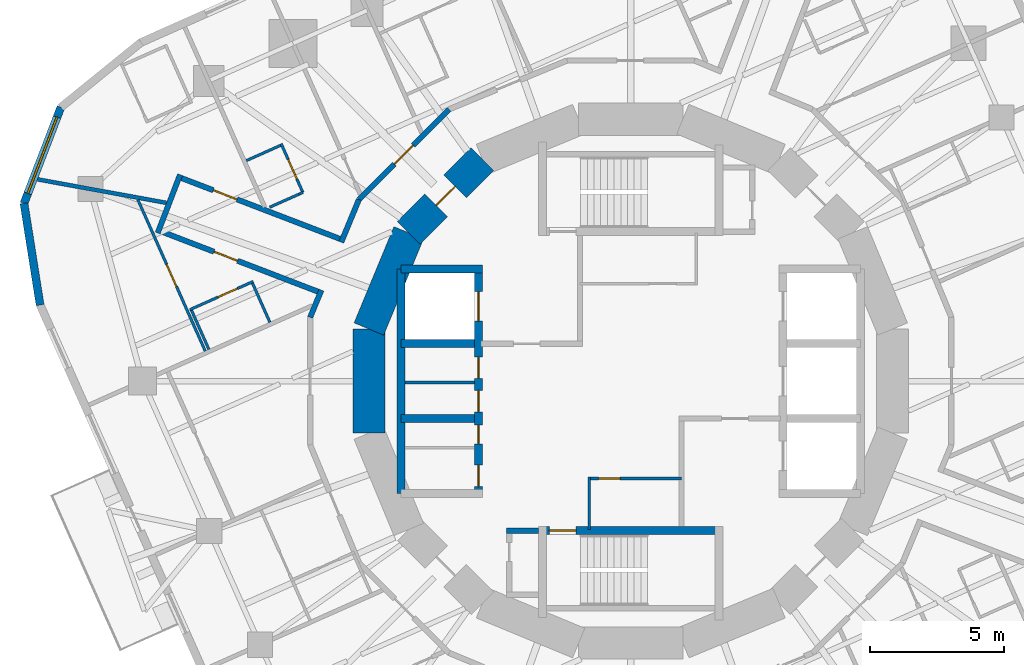
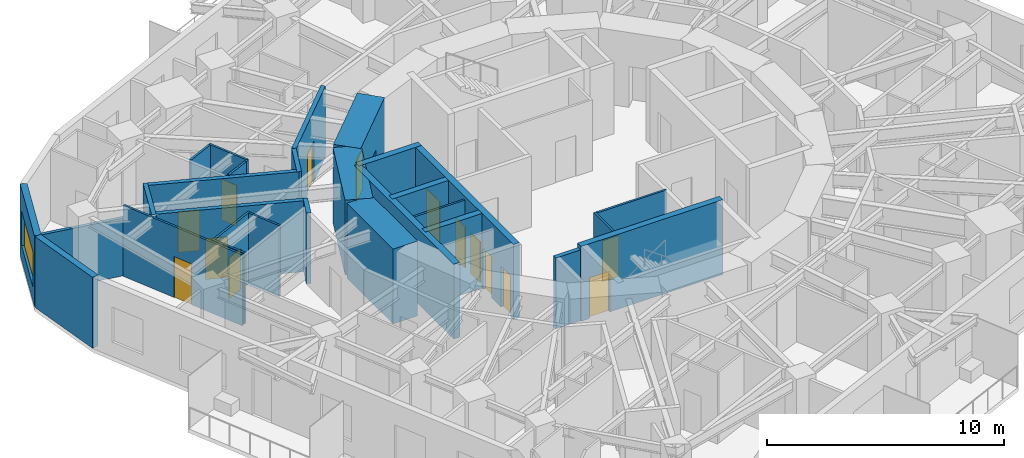
# One storey, part 6 of 12: 30 walls, 14 doors, 1 window, 15 openings.
"""IFC4 building model written with IfcOpenShell, lengths in metres."""

from ifc_helpers import new_model, si_unit, direction, frame, frame_2d, origin, place, context, subcontext, project, spatial, rectangle, extrude, material, layer, layer_set, type_object, element, fill, save


model = new_model("IFC4")

# Units and contexts
model_context = context("Model", 3, precision=1e-05, world=origin(), true_north=direction((0.0, 1.0)))
body_context = subcontext(model_context, "Body", "Model", "MODEL_VIEW")
ifc_project = project(units=[si_unit("LENGTHUNIT", "METRE"), si_unit("AREAUNIT", "SQUARE_METRE"), si_unit("VOLUMEUNIT", "CUBIC_METRE"), si_unit("PLANEANGLEUNIT", "RADIAN"), si_unit("MASSUNIT", "GRAM", prefix="KILO")], contexts=[model_context])

# Site, building, storey
site_placement = place(None, origin())
site = spatial("IfcSite", under=ifc_project, at=site_placement, CompositionType="ELEMENT")
building_placement = place(site_placement, origin())
building = spatial("IfcBuilding", under=site, at=building_placement, Name="Nakasero Lantern House", CompositionType="ELEMENT")
storey_placement = place(building_placement, frame((0.0, 0.0, 209.39990234375)))
storey = spatial("IfcBuildingStorey", under=building, at=storey_placement, Name="L51", CompositionType="ELEMENT", Elevation=209.39990234375)

# Wall, openings, doors
ifc_material_1 = material(Name="Concrete C50/60", Category="concrete")
ifc_layer_1 = layer(ifc_material_1, 0.300048828125)
ifc_layer_set_1 = layer_set([ifc_layer_1], Name="Core inner wall 300")
wall_type_1 = type_object("IfcWallType", Name="Core inner wall 300", PredefinedType="SHEAR", material=ifc_layer_set_1)
wall_1_placement = place(storey_placement, frame((-5.699951171875, -4.199951171875, 0.0), z_axis=(0.0, 0.0, 1.0), x_axis=(0.0, 1.0, 0.0)))
wall_1 = element("IfcWall", 1, at=wall_1_placement, inside=storey, type_object=wall_type_1, Name="Core inner wall L51 LW", PredefinedType="SHEAR", context=body_context, shape_type="SweptSolid", body=[
    extrude(rectangle(XDim=8.39990234375, YDim=0.300048828125, at=frame_2d((4.199951171875, 0.0))), origin(), (0.0, 0.0, 1.0), 3.85009765625),
])
opening_1_placement = place(wall_1_placement, frame((0.25, 0.0, 0.0)))
opening_1 = element("IfcOpeningElement", 2, at=opening_1_placement, cuts=wall_1, Name="Opening D19", PredefinedType="OPENING", context=body_context, shape_type="SweptSolid", body=[
    extrude(rectangle(XDim=0.800048828125, YDim=2.10009765625, at=frame_2d((0.39990234375, 1.050048828125))), frame((0.0, 0.169921875, 0.0), z_axis=(0.0, -1.0, 0.0), x_axis=(1.0, 0.0, 0.0)), (0.0, 0.0, 1.0), 0.340087890625),
])
opening_2_placement = place(wall_1_placement, frame((1.85009765625, 0.0, 0.0)))
opening_2 = element("IfcOpeningElement", 3, at=opening_2_placement, cuts=wall_1, Name="Opening D20", PredefinedType="OPENING", context=body_context, shape_type="SweptSolid", body=[
    extrude(rectangle(XDim=0.699951171875, YDim=2.10009765625, at=frame_2d((0.35009765625, 1.050048828125))), frame((0.0, 0.169921875, 0.0), z_axis=(0.0, -1.0, 0.0), x_axis=(1.0, 0.0, 0.0)), (0.0, 0.0, 1.0), 0.340087890625),
])
opening_3_placement = place(wall_1_placement, frame((3.050048828125, 0.0, 0.0)))
opening_3 = element("IfcOpeningElement", 4, at=opening_3_placement, cuts=wall_1, Name="Opening D15", PredefinedType="OPENING", context=body_context, shape_type="SweptSolid", body=[
    extrude(rectangle(XDim=0.800048828125, YDim=2.10009765625, at=frame_2d((0.39990234375, 1.050048828125))), frame((0.0, 0.169921875, 0.0), z_axis=(0.0, -1.0, 0.0), x_axis=(1.0, 0.0, 0.0)), (0.0, 0.0, 1.0), 0.340087890625),
])
opening_4_placement = place(wall_1_placement, frame((4.300048828125, 0.0, 0.0)))
opening_4 = element("IfcOpeningElement", 5, at=opening_4_placement, cuts=wall_1, Name="Opening D15", PredefinedType="OPENING", context=body_context, shape_type="SweptSolid", body=[
    extrude(rectangle(XDim=0.800048828125, YDim=2.10009765625, at=frame_2d((0.39990234375, 1.050048828125))), frame((0.0, 0.169921875, 0.0), z_axis=(0.0, -1.0, 0.0), x_axis=(1.0, 0.0, 0.0)), (0.0, 0.0, 1.0), 0.340087890625),
])
opening_5_placement = place(wall_1_placement, frame((6.449951171875, 0.0, 0.0)))
opening_5 = element("IfcOpeningElement", 6, at=opening_5_placement, cuts=wall_1, Name="Opening LD", PredefinedType="OPENING", context=body_context, shape_type="SweptSolid", body=[
    extrude(rectangle(XDim=1.10009765625, YDim=2.10009765625, at=frame_2d((0.550048828125, 1.050048828125))), frame((0.0, 0.169921875, 0.0), z_axis=(0.0, -1.0, 0.0), x_axis=(1.0, 0.0, 0.0)), (0.0, 0.0, 1.0), 0.340087890625),
])
ifc_material_2 = material(Name="Timber C24", Category="wood")
door_type_1 = type_object("IfcDoorType", Name="Cleaner's store door FD30S 700", OperationType="SINGLE_SWING_LEFT", PredefinedType="DOOR", material=ifc_material_2)
door_1_placement = place(opening_2_placement, origin())
door_1 = element("IfcDoor", 7, at=door_1_placement, inside=storey, type_object=door_type_1, Name="Door L51 D-SH-LW1b", OperationType="SINGLE_SWING_LEFT", OverallHeight=2.10009765625, OverallWidth=0.699951171875, PredefinedType="DOOR", context=body_context, shape_type="SweptSolid", body=[
    extrude(rectangle(XDim=0.699951171875, YDim=2.10009765625, at=frame_2d((0.35009765625, 1.050048828125))), frame((0.0, 0.02490234375, 0.0), z_axis=(0.0, -1.0, 0.0), x_axis=(1.0, 0.0, 0.0)), (0.0, 0.0, 1.0), 0.050048828125),
])
fill(opening_2, door_1)
ifc_material_3 = material(Name="Timber C24", Category="wood")
door_type_2 = type_object("IfcDoorType", Name="Cleaner's store door FD30S 800", OperationType="SINGLE_SWING_LEFT", PredefinedType="DOOR", material=ifc_material_3)
door_2_placement = place(opening_3_placement, origin())
door_2 = element("IfcDoor", 8, at=door_2_placement, inside=storey, type_object=door_type_2, Name="Door L51 D-SH-LW2a", OperationType="SINGLE_SWING_LEFT", OverallHeight=2.10009765625, OverallWidth=0.800048828125, PredefinedType="DOOR", context=body_context, shape_type="SweptSolid", body=[
    extrude(rectangle(XDim=0.800048828125, YDim=2.10009765625, at=frame_2d((0.39990234375, 1.050048828125))), frame((0.0, 0.02490234375, 0.0), z_axis=(0.0, -1.0, 0.0), x_axis=(1.0, 0.0, 0.0)), (0.0, 0.0, 1.0), 0.050048828125),
])
fill(opening_3, door_2)
door_3_placement = place(opening_4_placement, origin())
door_3 = element("IfcDoor", 9, at=door_3_placement, inside=storey, type_object=door_type_2, Name="Door L51 D-SH-LW2b", OperationType="SINGLE_SWING_RIGHT", OverallHeight=2.10009765625, OverallWidth=0.800048828125, PredefinedType="DOOR", context=body_context, shape_type="SweptSolid", body=[
    extrude(rectangle(XDim=0.800048828125, YDim=2.10009765625, at=frame_2d((0.39990234375, 1.050048828125))), frame((0.0, 0.02490234375, 0.0), z_axis=(0.0, -1.0, 0.0), x_axis=(1.0, 0.0, 0.0)), (0.0, 0.0, 1.0), 0.050048828125),
])
fill(opening_4, door_3)
ifc_material_4 = material(Name="Steel S355", Category="steel")
door_type_3 = type_object("IfcDoorType", Name="Lift landing door E120 1100", OperationType="SLIDING_TO_LEFT", PredefinedType="DOOR", material=ifc_material_4)
door_4_placement = place(opening_5_placement, origin())
door_4 = element("IfcDoor", 10, at=door_4_placement, inside=storey, type_object=door_type_3, Name="Lift landing door LW3", OperationType="SLIDING_TO_LEFT", OverallHeight=2.10009765625, OverallWidth=1.10009765625, PredefinedType="DOOR", context=body_context, shape_type="SweptSolid", body=[
    extrude(rectangle(XDim=1.10009765625, YDim=2.10009765625, at=frame_2d((0.550048828125, 1.050048828125))), frame((0.0, 0.02490234375, 0.0), z_axis=(0.0, -1.0, 0.0), x_axis=(1.0, 0.0, 0.0)), (0.0, 0.0, 1.0), 0.050048828125),
])
fill(opening_5, door_4)
ifc_material_5 = material(Name="Steel S355", Category="steel")
door_type_4 = type_object("IfcDoorType", Name="Plant room door FD60 800", OperationType="SINGLE_SWING_LEFT", PredefinedType="DOOR", material=ifc_material_5)
door_5_placement = place(opening_1_placement, origin())
door_5 = element("IfcDoor", 11, at=door_5_placement, inside=storey, type_object=door_type_4, Name="Door L51 D-SH-LW1a", OperationType="SINGLE_SWING_LEFT", OverallHeight=2.10009765625, OverallWidth=0.800048828125, PredefinedType="DOOR", context=body_context, shape_type="SweptSolid", body=[
    extrude(rectangle(XDim=0.800048828125, YDim=2.10009765625, at=frame_2d((0.39990234375, 1.050048828125))), frame((0.0, 0.02490234375, 0.0), z_axis=(0.0, -1.0, 0.0), x_axis=(1.0, 0.0, 0.0)), (0.0, 0.0, 1.0), 0.050048828125),
])
fill(opening_1, door_5)

# Walls
wall_2_placement = place(storey_placement, frame((-8.60009765625, 4.199951171875, 0.0), z_axis=(0.0, 0.0, 1.0), x_axis=(1.0, 0.0, 0.0)))
element("IfcWall", 12, at=wall_2_placement, inside=storey, type_object=wall_type_1, Name="Core inner wall L51 LWN", PredefinedType="SHEAR", context=body_context, shape_type="SweptSolid", body=[
    extrude(rectangle(XDim=3.050048828125, YDim=0.300048828125, at=frame_2d((1.52490234375, 0.0))), origin(), (0.0, 0.0, 1.0), 3.85009765625),
])
wall_3_placement = place(storey_placement, frame((-8.60009765625, -4.199951171875, 0.0), z_axis=(0.0, 0.0, 1.0), x_axis=(0.0, 1.0, 0.0)))
element("IfcWall", 13, at=wall_3_placement, inside=storey, type_object=wall_type_1, Name="Core inner wall L51 LWB", PredefinedType="SHEAR", context=body_context, shape_type="SweptSolid", body=[
    extrude(rectangle(XDim=8.39990234375, YDim=0.300048828125, at=frame_2d((4.199951171875, 0.0))), origin(), (0.0, 0.0, 1.0), 3.85009765625),
])
for number, where, z_axis, x_axis, name in (
    (14, (-8.60009765625, -1.39990234375, 0.0), (0.0, 0.0, 1.0), (1.0, 0.0, 0.0), "Core inner wall L51 LW1"),
    (15, (-8.60009765625, 1.39990234375, 0.0), (0.0, 0.0, 1.0), (1.0, 0.0, 0.0), "Core inner wall L51 LW2"),
):
    element("IfcWall", number, at=place(storey_placement, frame(where, z_axis=z_axis, x_axis=x_axis)), inside=storey, type_object=wall_type_1, Name=name, PredefinedType="SHEAR", context=body_context, shape_type="SweptSolid", body=[
        extrude(rectangle(XDim=2.75, YDim=0.300048828125, at=frame_2d((1.375, 0.0))), origin(), (0.0, 0.0, 1.0), 3.85009765625),
    ])

# Wall, opening, door
wall_4_placement = place(storey_placement, frame((-3.449951171875, -5.60009765625, 0.0), z_axis=(0.0, 0.0, 1.0), x_axis=(1.0, 0.0, 0.0)))
wall_4 = element("IfcWall", 16, at=wall_4_placement, inside=storey, type_object=wall_type_1, Name="Core inner wall L51 SS", PredefinedType="SHEAR", context=body_context, shape_type="SweptSolid", body=[
    extrude(rectangle(XDim=6.89990234375, YDim=0.300048828125, at=frame_2d((3.449951171875, 0.0))), origin(), (0.0, 0.0, 1.0), 3.85009765625),
])
opening_6_placement = place(wall_4_placement, frame((0.39990234375, 0.0, 0.0)))
opening_6 = element("IfcOpeningElement", 17, at=opening_6_placement, cuts=wall_4, Name="Opening D05", PredefinedType="OPENING", context=body_context, shape_type="SweptSolid", body=[
    extrude(rectangle(XDim=1.0, YDim=2.10009765625, at=frame_2d((0.5, 1.050048828125))), frame((0.0, 0.169921875, 0.0), z_axis=(0.0, -1.0, 0.0), x_axis=(1.0, 0.0, 0.0)), (0.0, 0.0, 1.0), 0.340087890625),
])
ifc_material_6 = material(Name="Timber C24", Category="wood")
door_type_5 = type_object("IfcDoorType", Name="Core door FD60S 1000", OperationType="SINGLE_SWING_LEFT", PredefinedType="DOOR", material=ifc_material_6)
door_6_placement = place(opening_6_placement, origin())
door_6 = element("IfcDoor", 18, at=door_6_placement, inside=storey, type_object=door_type_5, Name="Door L51 D-ST2", OperationType="SINGLE_SWING_LEFT", OverallHeight=2.10009765625, OverallWidth=1.0, PredefinedType="DOOR", context=body_context, shape_type="SweptSolid", body=[
    extrude(rectangle(XDim=1.0, YDim=2.10009765625, at=frame_2d((0.5, 1.050048828125))), frame((0.0, 0.02490234375, 0.0), z_axis=(0.0, -1.0, 0.0), x_axis=(1.0, 0.0, 0.0)), (0.0, 0.0, 1.0), 0.050048828125),
])
fill(opening_6, door_6)

ifc_material_7 = material(Name="Blockwork", Category="masonry")
ifc_layer_2 = layer(ifc_material_7, 0.10009765625)
ifc_layer_set_2 = layer_set([ifc_layer_2], Name="Core room wall 100")
wall_type_2 = type_object("IfcWallType", Name="Core room wall 100", PredefinedType="PARTITIONING", material=ifc_layer_set_2)
wall_5_placement = place(storey_placement, frame((-1.60009765625, -3.64990234375, 0.0), z_axis=(0.0, 0.0, 1.0), x_axis=(1.0, 0.0, 0.0)))
wall_5 = element("IfcWall", 19, at=wall_5_placement, inside=storey, type_object=wall_type_2, Name="Core room wall L51 CR-SWN", PredefinedType="PARTITIONING", context=body_context, shape_type="SweptSolid", body=[
    extrude(rectangle(XDim=3.5, YDim=0.10009765625, at=frame_2d((1.75, 0.0))), origin(), (0.0, 0.0, 1.0), 3.650146484375),
])
opening_7_placement = place(wall_5_placement, frame((0.39990234375, 0.0, 0.0)))
opening_7 = element("IfcOpeningElement", 20, at=opening_7_placement, cuts=wall_5, Name="Opening D15", PredefinedType="OPENING", context=body_context, shape_type="SweptSolid", body=[
    extrude(rectangle(XDim=0.800048828125, YDim=2.10009765625, at=frame_2d((0.39990234375, 1.050048828125))), frame((0.0, 0.070068359375, 0.0), z_axis=(0.0, -1.0, 0.0), x_axis=(1.0, 0.0, 0.0)), (0.0, 0.0, 1.0), 0.14013671875),
])
door_7_placement = place(opening_7_placement, origin())
door_7 = element("IfcDoor", 21, at=door_7_placement, inside=storey, type_object=door_type_2, Name="Door L51 D-CR-SW", OperationType="SINGLE_SWING_LEFT", OverallHeight=2.10009765625, OverallWidth=0.800048828125, PredefinedType="DOOR", context=body_context, shape_type="SweptSolid", body=[
    extrude(rectangle(XDim=0.800048828125, YDim=2.10009765625, at=frame_2d((0.39990234375, 1.050048828125))), frame((0.0, 0.02490234375, 0.0), z_axis=(0.0, -1.0, 0.0), x_axis=(1.0, 0.0, 0.0)), (0.0, 0.0, 1.0), 0.050048828125),
])
fill(opening_7, door_7)

# Walls
wall_6_placement = place(storey_placement, frame((-1.550048828125, -5.550048828125, 0.0), z_axis=(0.0, 0.0, 1.0), x_axis=(0.0, 1.0, 0.0)))
element("IfcWall", 22, at=wall_6_placement, inside=storey, type_object=wall_type_2, Name="Core room wall L51 CR-SWW", PredefinedType="PARTITIONING", context=body_context, shape_type="SweptSolid", body=[
    extrude(rectangle(XDim=1.949951171875, YDim=0.10009765625, at=frame_2d((0.97509765625, 0.0))), origin(), (0.0, 0.0, 1.0), 3.650146484375),
])
wall_7_placement = place(storey_placement, frame((-8.449951171875, -0.050048828125, 0.0), z_axis=(0.0, 0.0, 1.0), x_axis=(1.0, 0.0, 0.0)))
element("IfcWall", 23, at=wall_7_placement, inside=storey, type_object=wall_type_2, Name="Core room wall L51 CR-SH-LW2b", PredefinedType="PARTITIONING", context=body_context, shape_type="SweptSolid", body=[
    extrude(rectangle(XDim=2.599853515625, YDim=0.10009765625, at=frame_2d((1.2998046875, 0.0))), origin(), (0.0, 0.0, 1.0), 3.650146484375),
])

# Wall, opening, door
ifc_material_8 = material(Name="Concrete C50/60", Category="concrete")
ifc_layer_3 = layer(ifc_material_8, 1.199951171875)
ifc_layer_set_3 = layer_set([ifc_layer_3], Name="Core wall 1200")
wall_type_3 = type_object("IfcWallType", Name="Core wall 1200", PredefinedType="SHEAR", material=ifc_layer_set_3)
wall_8_placement = place(storey_placement, frame((-5.5556640625, 8.314697265625, 0.0), z_axis=(0.0, 0.0, 1.0), x_axis=(-0.707106781187, -0.707106781187, 0.0)))
wall_8 = element("IfcWall", 24, at=wall_8_placement, inside=storey, type_object=wall_type_3, Name="Core wall L51 facet 6", PredefinedType="SHEAR", context=body_context, shape_type="SweptSolid", body=[
    extrude(rectangle(XDim=3.90185546875, YDim=1.199951171875, at=frame_2d((1.950927734375, 0.0))), origin(), (0.0, 0.0, 1.0), 3.85009765625),
])
opening_8_placement = place(wall_8_placement, frame((1.450927734375, 0.0, 0.0)))
opening_8 = element("IfcOpeningElement", 25, at=opening_8_placement, cuts=wall_8, Name="Opening D05", PredefinedType="OPENING", context=body_context, shape_type="SweptSolid", body=[
    extrude(rectangle(XDim=1.0, YDim=2.10009765625, at=frame_2d((0.5, 1.050048828125))), frame((0.0, 0.619873046875, 0.0), z_axis=(0.0, -1.0, 0.0), x_axis=(1.0, 0.0, 0.0)), (0.0, 0.0, 1.0), 1.239990234375),
])
door_8_placement = place(opening_8_placement, origin())
door_8 = element("IfcDoor", 26, at=door_8_placement, inside=storey, type_object=door_type_5, Name="Door L51 D-CORE06", OperationType="SINGLE_SWING_LEFT", OverallHeight=2.10009765625, OverallWidth=1.0, PredefinedType="DOOR", context=body_context, shape_type="SweptSolid", body=[
    extrude(rectangle(XDim=1.0, YDim=2.10009765625, at=frame_2d((0.5, 1.050048828125))), frame((0.0, 0.02490234375, 0.0), z_axis=(0.0, -1.0, 0.0), x_axis=(1.0, 0.0, 0.0)), (0.0, 0.0, 1.0), 0.050048828125),
])
fill(opening_8, door_8)

# Walls
for number, where, z_axis, x_axis, name in (
    (27, (-8.314697265625, 5.5556640625, 0.0), (0.0, 0.0, 1.0), (-0.382690736062, -0.923876507187, 0.0), "Core wall L51 facet 7"),
    (28, (-9.807861328125, 1.950927734375, 0.0), (0.0, 0.0, 1.0), (0.0, -1.0, 0.0), "Core wall L51 facet 8"),
):
    element("IfcWall", number, at=place(storey_placement, frame(where, z_axis=z_axis, x_axis=x_axis)), inside=storey, type_object=wall_type_3, Name=name, PredefinedType="SHEAR", context=body_context, shape_type="SweptSolid", body=[
        extrude(rectangle(XDim=3.90185546875, YDim=1.199951171875, at=frame_2d((1.950927734375, 0.0))), origin(), (0.0, 0.0, 1.0), 3.85009765625),
    ])
ifc_material_9 = material(Name="Blockwork", Category="masonry")
ifc_layer_4 = layer(ifc_material_9, 0.199951171875)
ifc_layer_set_4 = layer_set([ifc_layer_4], Name="Corridor wall 200")
wall_type_4 = type_object("IfcWallType", Name="Corridor wall 200", PredefinedType="PARTITIONING", material=ifc_layer_set_4)
wall_9_placement = place(storey_placement, frame((-12.0078125, 2.388427734375, 0.0), z_axis=(0.0, 0.0, 1.0), x_axis=(0.382651327736, 0.923892830031, 0.0)))
element("IfcWall", 29, at=wall_9_placement, inside=storey, type_object=wall_type_4, Name="Corridor wall L51 RC09a", PredefinedType="PARTITIONING", context=body_context, shape_type="SweptSolid", body=[
    extrude(rectangle(XDim=1.103759765625, YDim=0.199951171875, at=frame_2d((0.5517578125, 0.0))), origin(), (0.0, 0.0, 1.0), 3.650146484375),
])
wall_10_placement = place(storey_placement, frame((-10.8427734375, 5.201171875, 0.0), z_axis=(0.0, 0.0, 1.0), x_axis=(0.382683633391, 0.923879449244, 0.0)))
element("IfcWall", 30, at=wall_10_placement, inside=storey, type_object=wall_type_4, Name="Corridor wall L51 RC09b", PredefinedType="PARTITIONING", context=body_context, shape_type="SweptSolid", body=[
    extrude(rectangle(XDim=1.732666015625, YDim=0.199951171875, at=frame_2d((0.8662109375, 0.0))), origin(), (0.0, 0.0, 1.0), 3.650146484375),
])

# Wall, opening, door
wall_11_placement = place(storey_placement, frame((-10.1796875, 6.802001953125, 0.0), z_axis=(0.0, 0.0, 1.0), x_axis=(0.707106781187, 0.707106781187, 0.0)))
wall_11 = element("IfcWall", 31, at=wall_11_placement, inside=storey, type_object=wall_type_4, Name="Corridor wall L51 RC10a", PredefinedType="PARTITIONING", context=body_context, shape_type="SweptSolid", body=[
    extrude(rectangle(XDim=4.77685546875, YDim=0.199951171875, at=frame_2d((2.388427734375, 0.0))), origin(), (0.0, 0.0, 1.0), 3.650146484375),
])
opening_9_placement = place(wall_11_placement, frame((1.8701171875, 0.0, 0.0)))
opening_9 = element("IfcOpeningElement", 32, at=opening_9_placement, cuts=wall_11, Name="Opening D14", PredefinedType="OPENING", context=body_context, shape_type="SweptSolid", body=[
    extrude(rectangle(XDim=1.0, YDim=2.10009765625, at=frame_2d((0.5, 1.050048828125))), frame((0.0, 0.119873046875, 0.0), z_axis=(0.0, -1.0, 0.0), x_axis=(1.0, 0.0, 0.0)), (0.0, 0.0, 1.0), 0.239990234375),
])
ifc_material_10 = material(Name="Timber C24", Category="wood")
door_type_6 = type_object("IfcDoorType", Name="Cluster entrance door FD30S 1000", OperationType="SINGLE_SWING_LEFT", PredefinedType="DOOR", material=ifc_material_10)
door_9_placement = place(opening_9_placement, origin())
door_9 = element("IfcDoor", 33, at=door_9_placement, inside=storey, type_object=door_type_6, Name="Door L51 D1-04", OperationType="SINGLE_SWING_LEFT", OverallHeight=2.10009765625, OverallWidth=1.0, PredefinedType="DOOR", context=body_context, shape_type="SweptSolid", body=[
    extrude(rectangle(XDim=1.0, YDim=2.10009765625, at=frame_2d((0.5, 1.050048828125))), frame((0.0, 0.02490234375, 0.0), z_axis=(0.0, -1.0, 0.0), x_axis=(1.0, 0.0, 0.0)), (0.0, 0.0, 1.0), 0.050048828125),
])
fill(opening_9, door_9)

wall_12_placement = place(storey_placement, frame((-10.804443359375, 5.293701171875, 0.0), z_axis=(0.0, 0.0, 1.0), x_axis=(-0.933585954752, 0.358353547616, 0.0)))
wall_12 = element("IfcWall", 34, at=wall_12_placement, inside=storey, type_object=wall_type_4, Name="Corridor wall L51 SP1a", PredefinedType="PARTITIONING", context=body_context, shape_type="SweptSolid", body=[
    extrude(rectangle(XDim=6.643798828125, YDim=0.199951171875, at=frame_2d((3.32177734375, 0.0))), origin(), (0.0, 0.0, 1.0), 3.650146484375),
])
opening_10_placement = place(wall_12_placement, frame((4.219970703125, 0.0, 0.0)))
opening_10 = element("IfcOpeningElement", 35, at=opening_10_placement, cuts=wall_12, Name="Opening D01", PredefinedType="OPENING", context=body_context, shape_type="SweptSolid", body=[
    extrude(rectangle(XDim=0.949951171875, YDim=2.10009765625, at=frame_2d((0.47509765625, 1.050048828125))), frame((0.0, 0.119873046875, 0.0), z_axis=(0.0, -1.0, 0.0), x_axis=(1.0, 0.0, 0.0)), (0.0, 0.0, 1.0), 0.239990234375),
])
ifc_material_11 = material(Name="Timber C24", Category="wood")
door_type_7 = type_object("IfcDoorType", Name="Bedroom door FD30S 950", OperationType="SINGLE_SWING_LEFT", PredefinedType="DOOR", material=ifc_material_11)
door_10_placement = place(opening_10_placement, origin())
door_10 = element("IfcDoor", 36, at=door_10_placement, inside=storey, type_object=door_type_7, Name="Door L51 D1-06", OperationType="SINGLE_SWING_RIGHT", OverallHeight=2.10009765625, OverallWidth=0.949951171875, PredefinedType="DOOR", context=body_context, shape_type="SweptSolid", body=[
    extrude(rectangle(XDim=0.949951171875, YDim=2.10009765625, at=frame_2d((0.47509765625, 1.050048828125))), frame((0.0, 0.02490234375, 0.0), z_axis=(0.0, -1.0, 0.0), x_axis=(1.0, 0.0, 0.0)), (0.0, 0.0, 1.0), 0.050048828125),
])
fill(opening_10, door_10)

wall_13_placement = place(storey_placement, frame((-11.623779296875, 3.31591796875, 0.0), z_axis=(0.0, 0.0, 1.0), x_axis=(-0.933579421016, 0.358370568903, 0.0)))
wall_13 = element("IfcWall", 37, at=wall_13_placement, inside=storey, type_object=wall_type_4, Name="Corridor wall L51 SP1b", PredefinedType="PARTITIONING", context=body_context, shape_type="SweptSolid", body=[
    extrude(rectangle(XDim=6.587646484375, YDim=0.199951171875, at=frame_2d((3.2939453125, 0.0))), origin(), (0.0, 0.0, 1.0), 3.650146484375),
])
opening_11_placement = place(wall_13_placement, frame((3.320068359375, 0.0, 0.0)))
opening_11 = element("IfcOpeningElement", 38, at=opening_11_placement, cuts=wall_13, Name="Opening D01", PredefinedType="OPENING", context=body_context, shape_type="SweptSolid", body=[
    extrude(rectangle(XDim=0.949951171875, YDim=2.10009765625, at=frame_2d((0.47509765625, 1.050048828125))), frame((0.0, 0.119873046875, 0.0), z_axis=(0.0, -1.0, 0.0), x_axis=(1.0, 0.0, 0.0)), (0.0, 0.0, 1.0), 0.239990234375),
])
door_11_placement = place(opening_11_placement, origin())
door_11 = element("IfcDoor", 39, at=door_11_placement, inside=storey, type_object=door_type_7, Name="Door L51 D2-00", OperationType="SINGLE_SWING_RIGHT", OverallHeight=2.10009765625, OverallWidth=0.949951171875, PredefinedType="DOOR", context=body_context, shape_type="SweptSolid", body=[
    extrude(rectangle(XDim=0.949951171875, YDim=2.10009765625, at=frame_2d((0.47509765625, 1.050048828125))), frame((0.0, 0.02490234375, 0.0), z_axis=(0.0, -1.0, 0.0), x_axis=(1.0, 0.0, 0.0)), (0.0, 0.0, 1.0), 0.050048828125),
])
fill(opening_11, door_11)

# Wall
wall_14_placement = place(storey_placement, frame((-16.8779296875, 7.73193359375, 0.0), z_axis=(0.0, 0.0, 1.0), x_axis=(-0.35838473722, -0.933573982139, 0.0)))
element("IfcWall", 40, at=wall_14_placement, inside=storey, type_object=wall_type_4, Name="Corridor wall L51 SP1e", PredefinedType="PARTITIONING", context=body_context, shape_type="SweptSolid", body=[
    extrude(rectangle(XDim=2.340087890625, YDim=0.199951171875, at=frame_2d((1.169921875, 0.0))), origin(), (0.0, 0.0, 1.0), 3.650146484375),
])

# Wall, opening, door
ifc_material_12 = material(Name="Blockwork", Category="masonry")
ifc_layer_5 = layer(ifc_material_12, 0.10009765625)
ifc_layer_set_5 = layer_set([ifc_layer_5], Name="En-suite wall 100")
wall_type_5 = type_object("IfcWallType", Name="En-suite wall 100", PredefinedType="PARTITIONING", material=ifc_layer_set_5)
wall_15_placement = place(storey_placement, frame((-12.280029296875, 7.0654296875, 0.0), z_axis=(0.0, 0.0, 1.0), x_axis=(-0.406772684097, 0.913529410294, 0.0)))
wall_15 = element("IfcWall", 41, at=wall_15_placement, inside=storey, type_object=wall_type_5, Name="En-suite wall L51 ES1-05", PredefinedType="PARTITIONING", context=body_context, shape_type="SweptSolid", body=[
    extrude(rectangle(XDim=1.999755859375, YDim=0.10009765625, at=frame_2d((1.0, 0.0))), origin(), (0.0, 0.0, 1.0), 3.650146484375),
])
opening_12_placement = place(wall_15_placement, frame((0.550048828125, 0.0, 0.0)))
opening_12 = element("IfcOpeningElement", 42, at=opening_12_placement, cuts=wall_15, Name="Opening D02", PredefinedType="OPENING", context=body_context, shape_type="SweptSolid", body=[
    extrude(rectangle(XDim=0.800048828125, YDim=2.10009765625, at=frame_2d((0.39990234375, 1.050048828125))), frame((0.0, 0.070068359375, 0.0), z_axis=(0.0, -1.0, 0.0), x_axis=(1.0, 0.0, 0.0)), (0.0, 0.0, 1.0), 0.14013671875),
])
ifc_material_13 = material(Name="Timber C24", Category="wood")
door_type_8 = type_object("IfcDoorType", Name="En-suite door 800", OperationType="SINGLE_SWING_RIGHT", PredefinedType="DOOR", material=ifc_material_13)
door_12_placement = place(opening_12_placement, origin())
door_12 = element("IfcDoor", 43, at=door_12_placement, inside=storey, type_object=door_type_8, Name="Door L51 DE1-05", OperationType="SINGLE_SWING_LEFT", OverallHeight=2.10009765625, OverallWidth=0.800048828125, PredefinedType="DOOR", context=body_context, shape_type="SweptSolid", body=[
    extrude(rectangle(XDim=0.800048828125, YDim=2.10009765625, at=frame_2d((0.39990234375, 1.050048828125))), frame((0.0, 0.02490234375, 0.0), z_axis=(0.0, -1.0, 0.0), x_axis=(1.0, 0.0, 0.0)), (0.0, 0.0, 1.0), 0.050048828125),
])
fill(opening_12, door_12)

# Wall
wall_16_placement = place(storey_placement, frame((-13.118896484375, 8.826416015625, 0.0), z_axis=(0.0, 0.0, 1.0), x_axis=(-0.91358129113, -0.406656150203, 0.0)))
element("IfcWall", 44, at=wall_16_placement, inside=storey, type_object=wall_type_5, Name="En-suite wall L51 EE1-05", PredefinedType="PARTITIONING", context=body_context, shape_type="SweptSolid", body=[
    extrude(rectangle(XDim=1.400146484375, YDim=0.10009765625, at=frame_2d((0.7001953125, 0.0))), origin(), (0.0, 0.0, 1.0), 3.650146484375),
])

# Wall, opening, door
wall_17_placement = place(storey_placement, frame((-14.14013671875, 3.731689453125, 0.0), z_axis=(0.0, 0.0, 1.0), x_axis=(-0.913532543723, -0.406765646974, 0.0)))
wall_17 = element("IfcWall", 45, at=wall_17_placement, inside=storey, type_object=wall_type_5, Name="En-suite wall L51 ES2-00", PredefinedType="PARTITIONING", context=body_context, shape_type="SweptSolid", body=[
    extrude(rectangle(XDim=2.60009765625, YDim=0.10009765625, at=frame_2d((1.300048828125, 0.0))), origin(), (0.0, 0.0, 1.0), 3.650146484375),
])
opening_13_placement = place(wall_17_placement, frame((0.64990234375, 0.0, 0.0)))
opening_13 = element("IfcOpeningElement", 46, at=opening_13_placement, cuts=wall_17, Name="Opening D02", PredefinedType="OPENING", context=body_context, shape_type="SweptSolid", body=[
    extrude(rectangle(XDim=0.800048828125, YDim=2.10009765625, at=frame_2d((0.39990234375, 1.050048828125))), frame((0.0, 0.070068359375, 0.0), z_axis=(0.0, -1.0, 0.0), x_axis=(1.0, 0.0, 0.0)), (0.0, 0.0, 1.0), 0.14013671875),
])
door_13_placement = place(opening_13_placement, origin())
door_13 = element("IfcDoor", 47, at=door_13_placement, inside=storey, type_object=door_type_8, Name="Door L51 DE2-00", OperationType="SINGLE_SWING_LEFT", OverallHeight=2.10009765625, OverallWidth=0.800048828125, PredefinedType="DOOR", context=body_context, shape_type="SweptSolid", body=[
    extrude(rectangle(XDim=0.800048828125, YDim=2.10009765625, at=frame_2d((0.39990234375, 1.050048828125))), frame((0.0, 0.02490234375, 0.0), z_axis=(0.0, -1.0, 0.0), x_axis=(1.0, 0.0, 0.0)), (0.0, 0.0, 1.0), 0.050048828125),
])
fill(opening_13, door_13)

# Walls
wall_18_placement = place(storey_placement, frame((-16.449462890625, 2.648681640625, 0.0), z_axis=(0.0, 0.0, 1.0), x_axis=(0.40678959877, -0.913521878409, 0.0)))
element("IfcWall", 48, at=wall_18_placement, inside=storey, type_object=wall_type_5, Name="En-suite wall L51 EE2-00", PredefinedType="PARTITIONING", context=body_context, shape_type="SweptSolid", body=[
    extrude(rectangle(XDim=1.60009765625, YDim=0.10009765625, at=frame_2d((0.800048828125, 0.0))), origin(), (0.0, 0.0, 1.0), 3.650146484375),
])
wall_19_placement = place(storey_placement, frame((-14.16552734375, 3.66552734375, 0.0), z_axis=(0.0, 0.0, 1.0), x_axis=(0.406662251972, -0.913578575067, 0.0)))
element("IfcWall", 49, at=wall_19_placement, inside=storey, type_object=wall_type_5, Name="En-suite wall L51 EI2-00", PredefinedType="PARTITIONING", context=body_context, shape_type="SweptSolid", body=[
    extrude(rectangle(XDim=1.599853515625, YDim=0.10009765625, at=frame_2d((0.7998046875, 0.0))), origin(), (0.0, 0.0, 1.0), 3.650146484375),
])

# Wall, opening, door
wall_20_placement = place(storey_placement, frame((-18.45947265625, 6.79443359375, 0.0), z_axis=(0.0, 0.0, 1.0), x_axis=(0.406726147728, -0.9135501304, 0.0)))
wall_20 = element("IfcWall", 50, at=wall_20_placement, inside=storey, type_object=wall_type_5, Name="En-suite wall L51 EL2-00", PredefinedType="PARTITIONING", context=body_context, shape_type="SweptSolid", body=[
    extrude(rectangle(XDim=6.204833984375, YDim=0.10009765625, at=frame_2d((3.1025390625, 0.0))), origin(), (0.0, 0.0, 1.0), 3.650146484375),
])
opening_14_placement = place(wall_20_placement, frame((2.65234375, 0.0, 0.0)))
opening_14 = element("IfcOpeningElement", 51, at=opening_14_placement, cuts=wall_20, Name="Opening D17", PredefinedType="OPENING", context=body_context, shape_type="SweptSolid", body=[
    extrude(rectangle(XDim=0.89990234375, YDim=2.10009765625, at=frame_2d((0.449951171875, 1.050048828125))), frame((0.0, 0.070068359375, 0.0), z_axis=(0.0, -1.0, 0.0), x_axis=(1.0, 0.0, 0.0)), (0.0, 0.0, 1.0), 0.14013671875),
])
ifc_material_14 = material(Name="Timber C24", Category="wood")
door_type_9 = type_object("IfcDoorType", Name="Bedroom door FD30S 900", OperationType="SINGLE_SWING_LEFT", PredefinedType="DOOR", material=ifc_material_14)
door_14_placement = place(opening_14_placement, origin())
door_14 = element("IfcDoor", 52, at=door_14_placement, inside=storey, type_object=door_type_9, Name="Door L51 DL2-00", OperationType="SINGLE_SWING_LEFT", OverallHeight=2.10009765625, OverallWidth=0.89990234375, PredefinedType="DOOR", context=body_context, shape_type="SweptSolid", body=[
    extrude(rectangle(XDim=0.89990234375, YDim=2.10009765625, at=frame_2d((0.449951171875, 1.050048828125))), frame((0.0, 0.02490234375, 0.0), z_axis=(0.0, -1.0, 0.0), x_axis=(1.0, 0.0, 0.0)), (0.0, 0.0, 1.0), 0.050048828125),
])
fill(opening_14, door_14)

# Walls
wall_21_placement = place(storey_placement, frame((-13.527099609375, 6.510009765625, 0.0), z_axis=(0.0, 0.0, 1.0), x_axis=(0.913510535277, 0.406815070933, 0.0)))
element("IfcWall", 53, at=wall_21_placement, inside=storey, type_object=wall_type_5, Name="En-suite wall L51 EX001", PredefinedType="PARTITIONING", context=body_context, shape_type="SweptSolid", body=[
    extrude(rectangle(XDim=1.205078125, YDim=0.10009765625, at=frame_2d((0.6025390625, 0.0))), origin(), (0.0, 0.0, 1.0), 3.650146484375),
])
wall_22_placement = place(storey_placement, frame((-12.280029296875, 7.0654296875, 0.0), z_axis=(0.0, 0.0, 1.0), x_axis=(-0.913370855971, -0.407128578538, 0.0)))
element("IfcWall", 54, at=wall_22_placement, inside=storey, type_object=wall_type_5, Name="En-suite wall L51 ES1-05R0", PredefinedType="PARTITIONING", context=body_context, shape_type="SweptSolid", body=[
    extrude(rectangle(XDim=0.16015625, YDim=0.10009765625, at=frame_2d((0.080078125, 0.0))), origin(), (0.0, 0.0, 1.0), 3.650146484375),
])

# Wall, opening, window
ifc_material_15 = material(Name="Aluminium rainscreen on blockwork", Category="masonry")
ifc_layer_6 = layer(ifc_material_15, 0.300048828125)
ifc_layer_set_6 = layer_set([ifc_layer_6], Name="Facade wall 300")
wall_type_6 = type_object("IfcWallType", Name="Facade wall 300", PredefinedType="SOLIDWALL", material=ifc_layer_set_6)
wall_23_placement = place(storey_placement, frame((-21.342529296875, 10.258056640625, 0.0), z_axis=(0.0, 0.0, 1.0), x_axis=(-0.358321438858, -0.933598278948, 0.0)))
wall_23 = element("IfcWall", 55, at=wall_23_placement, inside=storey, type_object=wall_type_6, Name="Facade wall L51 FW1C2", PredefinedType="SOLIDWALL", context=body_context, shape_type="SweptSolid", body=[
    extrude(rectangle(XDim=3.8564453125, YDim=0.300048828125, at=frame_2d((1.92822265625, 0.0))), origin(), (0.0, 0.0, 1.0), 3.650146484375),
])
opening_15_placement = place(wall_23_placement, frame((0.39990234375, 0.0, 0.75)))
opening_15 = element("IfcOpeningElement", 56, at=opening_15_placement, cuts=wall_23, Name="Opening W230", PredefinedType="OPENING", context=body_context, shape_type="SweptSolid", body=[
    extrude(rectangle(XDim=3.055908203125, YDim=1.800048828125, at=frame_2d((1.52783203125, 0.89990234375))), frame((0.0, 0.169921875, 0.0), z_axis=(0.0, -1.0, 0.0), x_axis=(1.0, 0.0, 0.0)), (0.0, 0.0, 1.0), 0.340087890625),
])
ifc_material_16 = material(Name="Aluminium 6063-T6 and glass", Category="aluminium")
window_type = type_object("IfcWindowType", Name="Corner window 3056x1800", PartitioningType="SINGLE_PANEL", PredefinedType="WINDOW", material=ifc_material_16)
window_placement = place(opening_15_placement, origin())
window = element("IfcWindow", 57, at=window_placement, inside=storey, type_object=window_type, Name="Window L51 WC1", OverallHeight=1.800048828125, OverallWidth=3.055908203125, PartitioningType="SINGLE_PANEL", PredefinedType="WINDOW", context=body_context, shape_type="SweptSolid", body=[
    extrude(rectangle(XDim=3.055908203125, YDim=1.800048828125, at=frame_2d((1.52783203125, 0.89990234375))), frame((0.0, 0.030029296875, 0.0), z_axis=(0.0, -1.0, 0.0), x_axis=(1.0, 0.0, 0.0)), (0.0, 0.0, 1.0), 0.06005859375),
])
fill(opening_15, window)

# Walls
wall_24_placement = place(storey_placement, frame((-22.724365234375, 6.65771484375, 0.0), z_axis=(0.0, 0.0, 1.0), x_axis=(0.156437203878, -0.987687906802, 0.0)))
element("IfcWall", 58, at=wall_24_placement, inside=storey, type_object=wall_type_6, Name="Facade wall L51 FW1C3", PredefinedType="SOLIDWALL", context=body_context, shape_type="SweptSolid", body=[
    extrude(rectangle(XDim=3.856201171875, YDim=0.300048828125, at=frame_2d((1.92822265625, 0.0))), origin(), (0.0, 0.0, 1.0), 3.650146484375),
])
ifc_material_17 = material(Name="Blockwork", Category="masonry")
ifc_layer_7 = layer(ifc_material_17, 0.199951171875)
ifc_layer_set_7 = layer_set([ifc_layer_7], Name="Fire lobby wall 200")
wall_type_7 = type_object("IfcWallType", Name="Fire lobby wall 200", PredefinedType="PARTITIONING", material=ifc_layer_set_7)
wall_25_placement = place(storey_placement, frame((-3.449951171875, -5.60009765625, 0.0), z_axis=(0.0, 0.0, 1.0), x_axis=(-1.0, 0.0, 0.0)))
element("IfcWall", 59, at=wall_25_placement, inside=storey, type_object=wall_type_7, Name="Fire lobby wall L51 W-RS2N", PredefinedType="PARTITIONING", context=body_context, shape_type="SweptSolid", body=[
    extrude(rectangle(XDim=1.199951171875, YDim=0.199951171875, at=frame_2d((0.60009765625, 0.0))), origin(), (0.0, 0.0, 1.0), 3.650146484375),
])
ifc_material_18 = material(Name="Blockwork", Category="masonry")
ifc_layer_8 = layer(ifc_material_18, 0.14990234375)
ifc_layer_set_8 = layer_set([ifc_layer_8], Name="Party wall 150")
wall_type_8 = type_object("IfcWallType", Name="Party wall 150", PredefinedType="PARTITIONING", material=ifc_layer_set_8)
wall_26_placement = place(storey_placement, frame((-17.390625, 6.675537109375, 0.0), z_axis=(0.0, 0.0, 1.0), x_axis=(-0.983745378578, 0.179569012156, 0.0)))
element("IfcWall", 60, at=wall_26_placement, inside=storey, type_object=wall_type_8, Name="Party wall L51 PW2-00", PredefinedType="PARTITIONING", context=body_context, shape_type="SweptSolid", body=[
    extrude(rectangle(XDim=4.902587890625, YDim=0.14990234375, at=frame_2d((2.451171875, 0.0))), origin(), (0.0, 0.0, 1.0), 2.966552734375),
])

save(model, "model.ifc")
